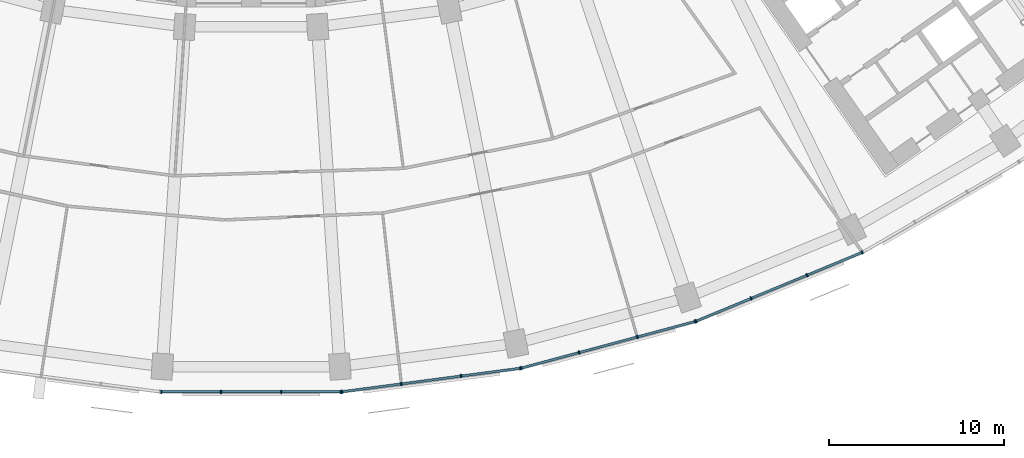
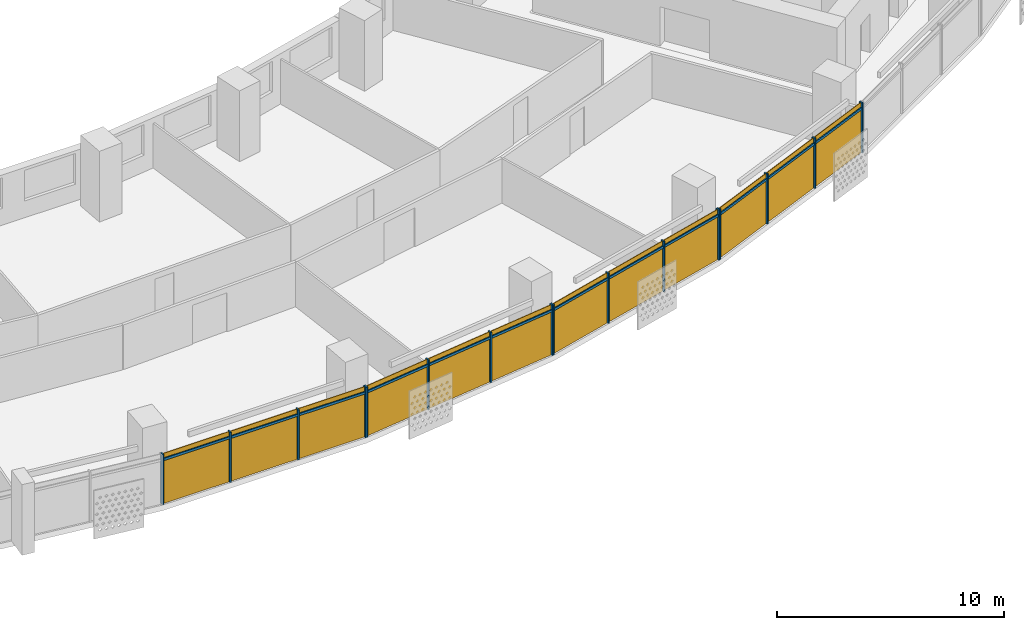
# One storey, part 21 of 30: 28 members, 4 curtain walls.
"""IFC4 building model written with IfcOpenShell, lengths in metres."""

from ifc_helpers import new_model, si_unit, direction, frame, origin, origin_2d, place, context, subcontext, project, spatial, rectangle, extrude, material, material_profile, profile_set, type_object, element, aggregate, save


model = new_model("IFC4")

# Units and contexts
model_context = context("Model", 3, precision=1e-05, world=origin(), true_north=direction((0.0, 1.0)))
body_context = subcontext(model_context, "Body", "Model", "MODEL_VIEW")
ifc_project = project(units=[si_unit("LENGTHUNIT", "METRE"), si_unit("AREAUNIT", "SQUARE_METRE"), si_unit("VOLUMEUNIT", "CUBIC_METRE"), si_unit("PLANEANGLEUNIT", "RADIAN"), si_unit("MASSUNIT", "GRAM", prefix="KILO")], contexts=[model_context])

# Member
ifc_material = material(Name="Aluminium 6063-T6 anodised", Category="aluminium")
ifc_material_profile_1 = material_profile(ifc_material, rectangle(XDim=0.199951171875, YDim=0.070068359375, at=origin_2d()))
ifc_profile_set_1 = profile_set([ifc_material_profile_1], Name="Aluminium 6063-T6 anodised")
member_type_1 = type_object("IfcMemberType", Name="Mullion 70 x 200 aluminium", PredefinedType="MULLION", material=ifc_profile_set_1)
site_placement = place(None, origin())
building_placement = place(site_placement, origin())
storey_placement = place(building_placement, frame((0.0, 0.0, 98.699951171875)))
member_1_placement = place(storey_placement, frame((-5.1513671875, -79.0302734375, 0.0), z_axis=(0.0, 0.0, 1.0), x_axis=(0.0, 1.0, 0.0)))
member_1 = element("IfcMember", 1, at=member_1_placement, type_object=member_type_1, Name="e-cw1-L21-out09/M00", PredefinedType="MULLION", context=body_context, shape_type="SweptSolid", body=[
    extrude(rectangle(XDim=0.199951171875, YDim=0.070068359375, at=origin_2d()), origin(), (0.0, 0.0, 1.0), 2.699951171875),
])

member_2_placement = place(storey_placement, frame((-1.728759765625, -79.0302734375, 0.0), z_axis=(0.0, 0.0, 1.0), x_axis=(0.0, 1.0, 0.0)))
member_2 = element("IfcMember", 2, at=member_2_placement, type_object=member_type_1, Name="e-cw1-L21-out09/M01", PredefinedType="MULLION", context=body_context, shape_type="SweptSolid", body=[
    extrude(rectangle(XDim=0.199951171875, YDim=0.070068359375, at=origin_2d()), origin(), (0.0, 0.0, 1.0), 2.699951171875),
])

member_3_placement = place(storey_placement, frame((1.728759765625, -79.0302734375, 0.0), z_axis=(0.0, 0.0, 1.0), x_axis=(0.0, 1.0, 0.0)))
member_3 = element("IfcMember", 3, at=member_3_placement, type_object=member_type_1, Name="e-cw1-L21-out09/M02", PredefinedType="MULLION", context=body_context, shape_type="SweptSolid", body=[
    extrude(rectangle(XDim=0.199951171875, YDim=0.070068359375, at=origin_2d()), origin(), (0.0, 0.0, 1.0), 2.699951171875),
])

member_4_placement = place(storey_placement, frame((5.1513671875, -79.0302734375, 0.0), z_axis=(0.0, 0.0, 1.0), x_axis=(0.0, 1.0, 0.0)))
member_4 = element("IfcMember", 4, at=member_4_placement, type_object=member_type_1, Name="e-cw1-L21-out09/M03", PredefinedType="MULLION", context=body_context, shape_type="SweptSolid", body=[
    extrude(rectangle(XDim=0.199951171875, YDim=0.070068359375, at=origin_2d()), origin(), (0.0, 0.0, 1.0), 2.699951171875),
])

member_5_placement = place(storey_placement, frame((5.2080078125, -79.026611328125, 0.0), z_axis=(0.0, 0.0, 1.0), x_axis=(-0.13052619222, 0.991444861374, 0.0)))
member_5 = element("IfcMember", 5, at=member_5_placement, type_object=member_type_1, Name="e-cw1-L21-out10/M00", PredefinedType="MULLION", context=body_context, shape_type="SweptSolid", body=[
    extrude(rectangle(XDim=0.199951171875, YDim=0.070068359375, at=origin_2d()), origin(), (0.0, 0.0, 1.0), 2.699951171875),
])

member_6_placement = place(storey_placement, frame((8.6015625, -78.579833984375, 0.0), z_axis=(0.0, 0.0, 1.0), x_axis=(-0.13052619222, 0.991444861374, 0.0)))
member_6 = element("IfcMember", 6, at=member_6_placement, type_object=member_type_1, Name="e-cw1-L21-out10/M01", PredefinedType="MULLION", context=body_context, shape_type="SweptSolid", body=[
    extrude(rectangle(XDim=0.199951171875, YDim=0.070068359375, at=origin_2d()), origin(), (0.0, 0.0, 1.0), 2.699951171875),
])

member_7_placement = place(storey_placement, frame((12.029541015625, -78.12841796875, 0.0), z_axis=(0.0, 0.0, 1.0), x_axis=(-0.13052619222, 0.991444861374, 0.0)))
member_7 = element("IfcMember", 7, at=member_7_placement, type_object=member_type_1, Name="e-cw1-L21-out10/M02", PredefinedType="MULLION", context=body_context, shape_type="SweptSolid", body=[
    extrude(rectangle(XDim=0.199951171875, YDim=0.070068359375, at=origin_2d()), origin(), (0.0, 0.0, 1.0), 2.699951171875),
])

member_8_placement = place(storey_placement, frame((15.4228515625, -77.681640625, 0.0), z_axis=(0.0, 0.0, 1.0), x_axis=(-0.13052619222, 0.991444861374, 0.0)))
member_8 = element("IfcMember", 8, at=member_8_placement, type_object=member_type_1, Name="e-cw1-L21-out10/M03", PredefinedType="MULLION", context=body_context, shape_type="SweptSolid", body=[
    extrude(rectangle(XDim=0.199951171875, YDim=0.070068359375, at=origin_2d()), origin(), (0.0, 0.0, 1.0), 2.699951171875),
])

member_9_placement = place(storey_placement, frame((15.478515625, -77.670654296875, 0.0), z_axis=(0.0, 0.0, 1.0), x_axis=(-0.258819045103, 0.965925826289, 0.0)))
member_9 = element("IfcMember", 9, at=member_9_placement, type_object=member_type_1, Name="e-cw1-L21-out11/M00", PredefinedType="MULLION", context=body_context, shape_type="SweptSolid", body=[
    extrude(rectangle(XDim=0.199951171875, YDim=0.070068359375, at=origin_2d()), origin(), (0.0, 0.0, 1.0), 2.699951171875),
])

member_10_placement = place(storey_placement, frame((18.78466796875, -76.78466796875, 0.0), z_axis=(0.0, 0.0, 1.0), x_axis=(-0.258819045103, 0.965925826289, 0.0)))
member_10 = element("IfcMember", 10, at=member_10_placement, type_object=member_type_1, Name="e-cw1-L21-out11/M01", PredefinedType="MULLION", context=body_context, shape_type="SweptSolid", body=[
    extrude(rectangle(XDim=0.199951171875, YDim=0.070068359375, at=origin_2d()), origin(), (0.0, 0.0, 1.0), 2.699951171875),
])

member_11_placement = place(storey_placement, frame((22.12451171875, -75.889892578125, 0.0), z_axis=(0.0, 0.0, 1.0), x_axis=(-0.258819045103, 0.965925826289, 0.0)))
member_11 = element("IfcMember", 11, at=member_11_placement, type_object=member_type_1, Name="e-cw1-L21-out11/M02", PredefinedType="MULLION", context=body_context, shape_type="SweptSolid", body=[
    extrude(rectangle(XDim=0.199951171875, YDim=0.070068359375, at=origin_2d()), origin(), (0.0, 0.0, 1.0), 2.699951171875),
])

member_12_placement = place(storey_placement, frame((25.430419921875, -75.00390625, 0.0), z_axis=(0.0, 0.0, 1.0), x_axis=(-0.258819045103, 0.965925826289, 0.0)))
member_12 = element("IfcMember", 12, at=member_12_placement, type_object=member_type_1, Name="e-cw1-L21-out11/M03", PredefinedType="MULLION", context=body_context, shape_type="SweptSolid", body=[
    extrude(rectangle(XDim=0.199951171875, YDim=0.070068359375, at=origin_2d()), origin(), (0.0, 0.0, 1.0), 2.699951171875),
])

member_13_placement = place(storey_placement, frame((25.484130859375, -74.98583984375, 0.0), z_axis=(0.0, 0.0, 1.0), x_axis=(-0.382683432365, 0.923879532511, 0.0)))
member_13 = element("IfcMember", 13, at=member_13_placement, type_object=member_type_1, Name="e-cw1-L21-out12/M00", PredefinedType="MULLION", context=body_context, shape_type="SweptSolid", body=[
    extrude(rectangle(XDim=0.199951171875, YDim=0.070068359375, at=origin_2d()), origin(), (0.0, 0.0, 1.0), 2.699951171875),
])

member_14_placement = place(storey_placement, frame((28.646240234375, -73.676025390625, 0.0), z_axis=(0.0, 0.0, 1.0), x_axis=(-0.382683432365, 0.923879532511, 0.0)))
member_14 = element("IfcMember", 14, at=member_14_placement, type_object=member_type_1, Name="e-cw1-L21-out12/M01", PredefinedType="MULLION", context=body_context, shape_type="SweptSolid", body=[
    extrude(rectangle(XDim=0.199951171875, YDim=0.070068359375, at=origin_2d()), origin(), (0.0, 0.0, 1.0), 2.699951171875),
])

member_15_placement = place(storey_placement, frame((31.8408203125, -72.352783203125, 0.0), z_axis=(0.0, 0.0, 1.0), x_axis=(-0.382683432365, 0.923879532511, 0.0)))
member_15 = element("IfcMember", 15, at=member_15_placement, type_object=member_type_1, Name="e-cw1-L21-out12/M02", PredefinedType="MULLION", context=body_context, shape_type="SweptSolid", body=[
    extrude(rectangle(XDim=0.199951171875, YDim=0.070068359375, at=origin_2d()), origin(), (0.0, 0.0, 1.0), 2.699951171875),
])

member_16_placement = place(storey_placement, frame((35.0029296875, -71.04296875, 0.0), z_axis=(0.0, 0.0, 1.0), x_axis=(-0.382683432365, 0.923879532511, 0.0)))
member_16 = element("IfcMember", 16, at=member_16_placement, type_object=member_type_1, Name="e-cw1-L21-out12/M03", PredefinedType="MULLION", context=body_context, shape_type="SweptSolid", body=[
    extrude(rectangle(XDim=0.199951171875, YDim=0.070068359375, at=origin_2d()), origin(), (0.0, 0.0, 1.0), 2.699951171875),
])

ifc_material_profile_2 = material_profile(ifc_material, rectangle(XDim=0.139892578125, YDim=0.1201171875, at=origin_2d()))
ifc_profile_set_2 = profile_set([ifc_material_profile_2], Name="Aluminium 6063-T6 anodised")
member_type_2 = type_object("IfcMemberType", Name="Transom 120 x 140 aluminium", PredefinedType="USERDEFINED", material=ifc_profile_set_2)
member_17_placement = place(storey_placement, frame((-5.116455078125, -79.0302734375, 2.400146484375), z_axis=(1.0, 0.0, 0.0), x_axis=(0.0, 1.0, 0.0)))
member_17 = element("IfcMember", 17, at=member_17_placement, type_object=member_type_2, Name="e-cw1-L21-out09/T00", ObjectType="TRANSOM", PredefinedType="USERDEFINED", context=body_context, shape_type="SweptSolid", body=[
    extrude(rectangle(XDim=0.139892578125, YDim=0.1201171875, at=origin_2d()), origin(), (0.0, 0.0, 1.0), 3.3525390625),
])

member_18_placement = place(storey_placement, frame((-1.69384765625, -79.0302734375, 2.400146484375), z_axis=(1.0, 0.0, 0.0), x_axis=(0.0, 1.0, 0.0)))
member_18 = element("IfcMember", 18, at=member_18_placement, type_object=member_type_2, Name="e-cw1-L21-out09/T01", ObjectType="TRANSOM", PredefinedType="USERDEFINED", context=body_context, shape_type="SweptSolid", body=[
    extrude(rectangle(XDim=0.139892578125, YDim=0.1201171875, at=origin_2d()), origin(), (0.0, 0.0, 1.0), 3.3876953125),
])

member_19_placement = place(storey_placement, frame((1.763916015625, -79.0302734375, 2.400146484375), z_axis=(1.0, 0.0, 0.0), x_axis=(0.0, 1.0, 0.0)))
member_19 = element("IfcMember", 19, at=member_19_placement, type_object=member_type_2, Name="e-cw1-L21-out09/T02", ObjectType="TRANSOM", PredefinedType="USERDEFINED", context=body_context, shape_type="SweptSolid", body=[
    extrude(rectangle(XDim=0.139892578125, YDim=0.1201171875, at=origin_2d()), origin(), (0.0, 0.0, 1.0), 3.3525390625),
])

member_20_placement = place(storey_placement, frame((5.242919921875, -79.02197265625, 2.400146484375), z_axis=(0.991439665896, 0.130565649721, 0.0), x_axis=(-0.130565649721, 0.991439665896, 0.0)))
member_20 = element("IfcMember", 20, at=member_20_placement, type_object=member_type_2, Name="e-cw1-L21-out10/T00", ObjectType="TRANSOM", PredefinedType="USERDEFINED", context=body_context, shape_type="SweptSolid", body=[
    extrude(rectangle(XDim=0.139892578125, YDim=0.1201171875, at=origin_2d()), origin(), (0.0, 0.0, 1.0), 3.352783203125),
])

member_21_placement = place(storey_placement, frame((8.63623046875, -78.5751953125, 2.400146484375), z_axis=(0.991446198807, 0.130516033004, 0.0), x_axis=(-0.130516033004, 0.991446198807, 0.0)))
member_21 = element("IfcMember", 21, at=member_21_placement, type_object=member_type_2, Name="e-cw1-L21-out10/T01", ObjectType="TRANSOM", PredefinedType="USERDEFINED", context=body_context, shape_type="SweptSolid", body=[
    extrude(rectangle(XDim=0.139892578125, YDim=0.1201171875, at=origin_2d()), origin(), (0.0, 0.0, 1.0), 3.3876953125),
])

member_22_placement = place(storey_placement, frame((12.064208984375, -78.123779296875, 2.400146484375), z_axis=(0.991449089759, 0.130494070426, 0.0), x_axis=(-0.130494070426, 0.991449089759, 0.0)))
member_22 = element("IfcMember", 22, at=member_22_placement, type_object=member_type_2, Name="e-cw1-L21-out10/T02", ObjectType="TRANSOM", PredefinedType="USERDEFINED", context=body_context, shape_type="SweptSolid", body=[
    extrude(rectangle(XDim=0.139892578125, YDim=0.1201171875, at=origin_2d()), origin(), (0.0, 0.0, 1.0), 3.3525390625),
])

member_23_placement = place(storey_placement, frame((15.512451171875, -77.66162109375, 2.400146484375), z_axis=(0.965927247937, 0.258813739382, 0.0), x_axis=(-0.258813739382, 0.965927247937, 0.0)))
member_23 = element("IfcMember", 23, at=member_23_placement, type_object=member_type_2, Name="e-cw1-L21-out11/T00", ObjectType="TRANSOM", PredefinedType="USERDEFINED", context=body_context, shape_type="SweptSolid", body=[
    extrude(rectangle(XDim=0.139892578125, YDim=0.1201171875, at=origin_2d()), origin(), (0.0, 0.0, 1.0), 3.3525390625),
])

member_24_placement = place(storey_placement, frame((18.818359375, -76.775634765625, 2.400146484375), z_axis=(0.965931646033, 0.258797324547, 0.0), x_axis=(-0.258797324547, 0.965931646033, 0.0)))
member_24 = element("IfcMember", 24, at=member_24_placement, type_object=member_type_2, Name="e-cw1-L21-out11/T01", ObjectType="TRANSOM", PredefinedType="USERDEFINED", context=body_context, shape_type="SweptSolid", body=[
    extrude(rectangle(XDim=0.139892578125, YDim=0.1201171875, at=origin_2d()), origin(), (0.0, 0.0, 1.0), 3.3876953125),
])

member_25_placement = place(storey_placement, frame((22.158203125, -75.880859375, 2.400146484375), z_axis=(0.965932125453, 0.258795535157, 0.0), x_axis=(-0.258795535157, 0.965932125453, 0.0)))
member_25 = element("IfcMember", 25, at=member_25_placement, type_object=member_type_2, Name="e-cw1-L21-out11/T02", ObjectType="TRANSOM", PredefinedType="USERDEFINED", context=body_context, shape_type="SweptSolid", body=[
    extrude(rectangle(XDim=0.139892578125, YDim=0.1201171875, at=origin_2d()), origin(), (0.0, 0.0, 1.0), 3.352783203125),
])

member_26_placement = place(storey_placement, frame((25.5166015625, -74.972412109375, 2.400146484375), z_axis=(0.923882814237, 0.382675509483, 0.0), x_axis=(-0.382675509483, 0.923882814237, 0.0)))
member_26 = element("IfcMember", 26, at=member_26_placement, type_object=member_type_2, Name="e-cw1-L21-out12/T00", ObjectType="TRANSOM", PredefinedType="USERDEFINED", context=body_context, shape_type="SweptSolid", body=[
    extrude(rectangle(XDim=0.139892578125, YDim=0.1201171875, at=origin_2d()), origin(), (0.0, 0.0, 1.0), 3.3525390625),
])

member_27_placement = place(storey_placement, frame((28.6787109375, -73.66259765625, 2.400146484375), z_axis=(0.923874529423, 0.382695510666, 0.0), x_axis=(-0.382695510666, 0.923874529423, 0.0)))
member_27 = element("IfcMember", 27, at=member_27_placement, type_object=member_type_2, Name="e-cw1-L21-out12/T01", ObjectType="TRANSOM", PredefinedType="USERDEFINED", context=body_context, shape_type="SweptSolid", body=[
    extrude(rectangle(XDim=0.139892578125, YDim=0.1201171875, at=origin_2d()), origin(), (0.0, 0.0, 1.0), 3.387451171875),
])

member_28_placement = place(storey_placement, frame((31.873046875, -72.33935546875, 2.400146484375), z_axis=(0.923882814237, 0.382675509483, 0.0), x_axis=(-0.382675509483, 0.923882814237, 0.0)))
member_28 = element("IfcMember", 28, at=member_28_placement, type_object=member_type_2, Name="e-cw1-L21-out12/T02", ObjectType="TRANSOM", PredefinedType="USERDEFINED", context=body_context, shape_type="SweptSolid", body=[
    extrude(rectangle(XDim=0.139892578125, YDim=0.1201171875, at=origin_2d()), origin(), (0.0, 0.0, 1.0), 3.3525390625),
])

# Site, building, storey
site = spatial("IfcSite", under=ifc_project, at=site_placement, CompositionType="ELEMENT")
building = spatial("IfcBuilding", under=site, at=building_placement, Name="Qamariyya Broadcast Tower", CompositionType="ELEMENT")
storey = spatial("IfcBuildingStorey", under=building, at=storey_placement, Name="L21", CompositionType="ELEMENT", Elevation=98.699951171875)

# Curtain wall
curtain_wall_type = type_object("IfcCurtainWallType", Name="Unitised curtain wall, anodised aluminium", PredefinedType="NOTDEFINED", material=ifc_material)
curtain_wall_1_placement = place(storey_placement, origin())
curtain_wall_1 = element("IfcCurtainWall", 29, at=curtain_wall_1_placement, inside=storey, type_object=curtain_wall_type, Name="e-cw1-L21-out09", PredefinedType="NOTDEFINED", context=body_context, shape_type="SweptSolid", body=[
    extrude(rectangle(XDim=3.352783203125, YDim=0.031982421875, at=origin_2d()), frame((-3.440185546875, -79.0302734375, 0.0), x_axis=(1.0, 0.0, 0.0)), (0.0, 0.0, 1.0), 2.340087890625),
    extrude(rectangle(XDim=3.352783203125, YDim=0.031982421875, at=origin_2d()), frame((-3.440185546875, -79.0302734375, 2.4599609375), x_axis=(1.0, 0.0, 0.0)), (0.0, 0.0, 1.0), 0.239990234375),
    extrude(rectangle(XDim=3.3876953125, YDim=0.031982421875, at=origin_2d()), frame((0.0, -79.0302734375, 0.0), x_axis=(1.0, 0.0, 0.0)), (0.0, 0.0, 1.0), 2.340087890625),
    extrude(rectangle(XDim=3.3876953125, YDim=0.031982421875, at=origin_2d()), frame((0.0, -79.0302734375, 2.4599609375), x_axis=(1.0, 0.0, 0.0)), (0.0, 0.0, 1.0), 0.239990234375),
    extrude(rectangle(XDim=3.352783203125, YDim=0.031982421875, at=origin_2d()), frame((3.440185546875, -79.0302734375, 0.0), x_axis=(1.0, 0.0, 0.0)), (0.0, 0.0, 1.0), 2.340087890625),
    extrude(rectangle(XDim=3.352783203125, YDim=0.031982421875, at=origin_2d()), frame((3.440185546875, -79.0302734375, 2.4599609375), x_axis=(1.0, 0.0, 0.0)), (0.0, 0.0, 1.0), 0.239990234375),
])

aggregate(curtain_wall_1, [member_1, member_2, member_3, member_4, member_17, member_18, member_19])

curtain_wall_2_placement = place(storey_placement, origin())
curtain_wall_2 = element("IfcCurtainWall", 30, at=curtain_wall_2_placement, inside=storey, type_object=curtain_wall_type, Name="e-cw1-L21-out10", PredefinedType="NOTDEFINED", context=body_context, shape_type="SweptSolid", body=[
    extrude(rectangle(XDim=3.3525390625, YDim=0.031982421875, at=origin_2d()), frame((6.90478515625, -78.802978515625, 0.0), x_axis=(0.991447084105, 0.13050930779, 0.0)), (0.0, 0.0, 1.0), 2.340087890625),
    extrude(rectangle(XDim=3.3525390625, YDim=0.031982421875, at=origin_2d()), frame((6.90478515625, -78.802978515625, 2.4599609375), x_axis=(0.991447084105, 0.13050930779, 0.0)), (0.0, 0.0, 1.0), 0.239990234375),
    extrude(rectangle(XDim=3.3876953125, YDim=0.031982421875, at=origin_2d()), frame((10.3154296875, -78.35400390625, 0.0), x_axis=(0.991447084105, 0.13050930779, 0.0)), (0.0, 0.0, 1.0), 2.340087890625),
    extrude(rectangle(XDim=3.3876953125, YDim=0.031982421875, at=origin_2d()), frame((10.3154296875, -78.35400390625, 2.4599609375), x_axis=(0.991447084105, 0.13050930779, 0.0)), (0.0, 0.0, 1.0), 0.239990234375),
    extrude(rectangle(XDim=3.3525390625, YDim=0.031982421875, at=origin_2d()), frame((13.72607421875, -77.9052734375, 0.0), x_axis=(0.991447084105, 0.13050930779, 0.0)), (0.0, 0.0, 1.0), 2.340087890625),
    extrude(rectangle(XDim=3.3525390625, YDim=0.031982421875, at=origin_2d()), frame((13.72607421875, -77.9052734375, 2.4599609375), x_axis=(0.991447084105, 0.13050930779, 0.0)), (0.0, 0.0, 1.0), 0.239990234375),
])

aggregate(curtain_wall_2, [member_5, member_6, member_7, member_8, member_20, member_21, member_22])

curtain_wall_3_placement = place(storey_placement, origin())
curtain_wall_3 = element("IfcCurtainWall", 31, at=curtain_wall_3_placement, inside=storey, type_object=curtain_wall_type, Name="e-cw1-L21-out11", PredefinedType="NOTDEFINED", context=body_context, shape_type="SweptSolid", body=[
    extrude(rectangle(XDim=3.352783203125, YDim=0.031982421875, at=origin_2d()), frame((17.131591796875, -77.227783203125, 0.0), x_axis=(0.965923677743, 0.258827063454, 0.0)), (0.0, 0.0, 1.0), 2.340087890625),
    extrude(rectangle(XDim=3.352783203125, YDim=0.031982421875, at=origin_2d()), frame((17.131591796875, -77.227783203125, 2.4599609375), x_axis=(0.965923677743, 0.258827063454, 0.0)), (0.0, 0.0, 1.0), 0.239990234375),
    extrude(rectangle(XDim=3.3876953125, YDim=0.031982421875, at=origin_2d()), frame((20.45458984375, -76.33740234375, 0.0), x_axis=(0.965923677743, 0.258827063454, 0.0)), (0.0, 0.0, 1.0), 2.340087890625),
    extrude(rectangle(XDim=3.3876953125, YDim=0.031982421875, at=origin_2d()), frame((20.45458984375, -76.33740234375, 2.4599609375), x_axis=(0.965923677743, 0.258827063454, 0.0)), (0.0, 0.0, 1.0), 0.239990234375),
    extrude(rectangle(XDim=3.352783203125, YDim=0.031982421875, at=origin_2d()), frame((23.777587890625, -75.44677734375, 0.0), x_axis=(0.965923677743, 0.258827063454, 0.0)), (0.0, 0.0, 1.0), 2.340087890625),
    extrude(rectangle(XDim=3.352783203125, YDim=0.031982421875, at=origin_2d()), frame((23.777587890625, -75.44677734375, 2.4599609375), x_axis=(0.965923677743, 0.258827063454, 0.0)), (0.0, 0.0, 1.0), 0.239990234375),
])

aggregate(curtain_wall_3, [member_9, member_10, member_11, member_12, member_23, member_24, member_25])

curtain_wall_4_placement = place(storey_placement, origin())
curtain_wall_4 = element("IfcCurtainWall", 32, at=curtain_wall_4_placement, inside=storey, type_object=curtain_wall_type, Name="e-cw1-L21-out12", PredefinedType="NOTDEFINED", context=body_context, shape_type="SweptSolid", body=[
    extrude(rectangle(XDim=3.3525390625, YDim=0.031982421875, at=origin_2d()), frame((27.065185546875, -74.3310546875, 0.0), x_axis=(0.923872250857, 0.382701011361, 0.0)), (0.0, 0.0, 1.0), 2.340087890625),
    extrude(rectangle(XDim=3.3525390625, YDim=0.031982421875, at=origin_2d()), frame((27.065185546875, -74.3310546875, 2.4599609375), x_axis=(0.923872250857, 0.382701011361, 0.0)), (0.0, 0.0, 1.0), 0.239990234375),
    extrude(rectangle(XDim=3.3876953125, YDim=0.031982421875, at=origin_2d()), frame((30.24365234375, -73.014404296875, 0.0), x_axis=(0.923872250857, 0.382701011361, 0.0)), (0.0, 0.0, 1.0), 2.340087890625),
    extrude(rectangle(XDim=3.3876953125, YDim=0.031982421875, at=origin_2d()), frame((30.24365234375, -73.014404296875, 2.4599609375), x_axis=(0.923872250857, 0.382701011361, 0.0)), (0.0, 0.0, 1.0), 0.239990234375),
    extrude(rectangle(XDim=3.3525390625, YDim=0.031982421875, at=origin_2d()), frame((33.421875, -71.69775390625, 0.0), x_axis=(0.923872250857, 0.382701011361, 0.0)), (0.0, 0.0, 1.0), 2.340087890625),
    extrude(rectangle(XDim=3.3525390625, YDim=0.031982421875, at=origin_2d()), frame((33.421875, -71.69775390625, 2.4599609375), x_axis=(0.923872250857, 0.382701011361, 0.0)), (0.0, 0.0, 1.0), 0.239990234375),
])

aggregate(curtain_wall_4, [member_13, member_14, member_15, member_16, member_26, member_27, member_28])

save(model, "model.ifc")
